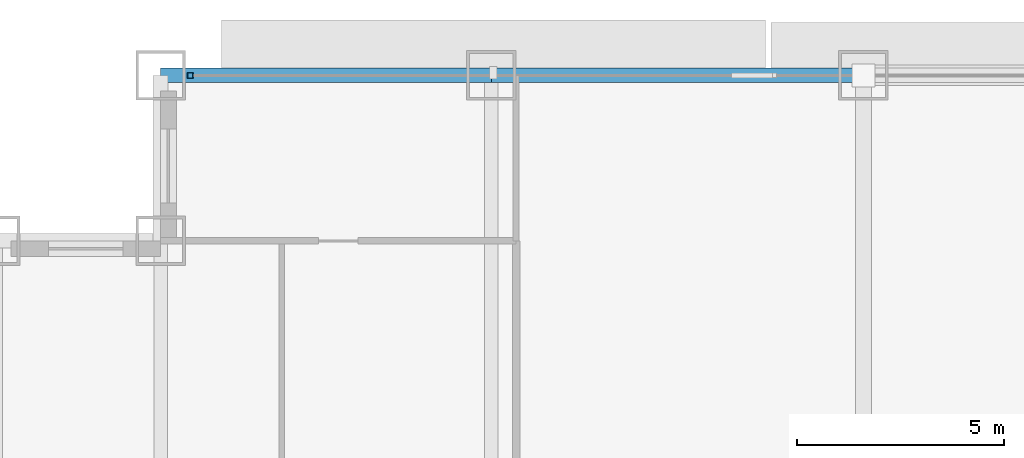
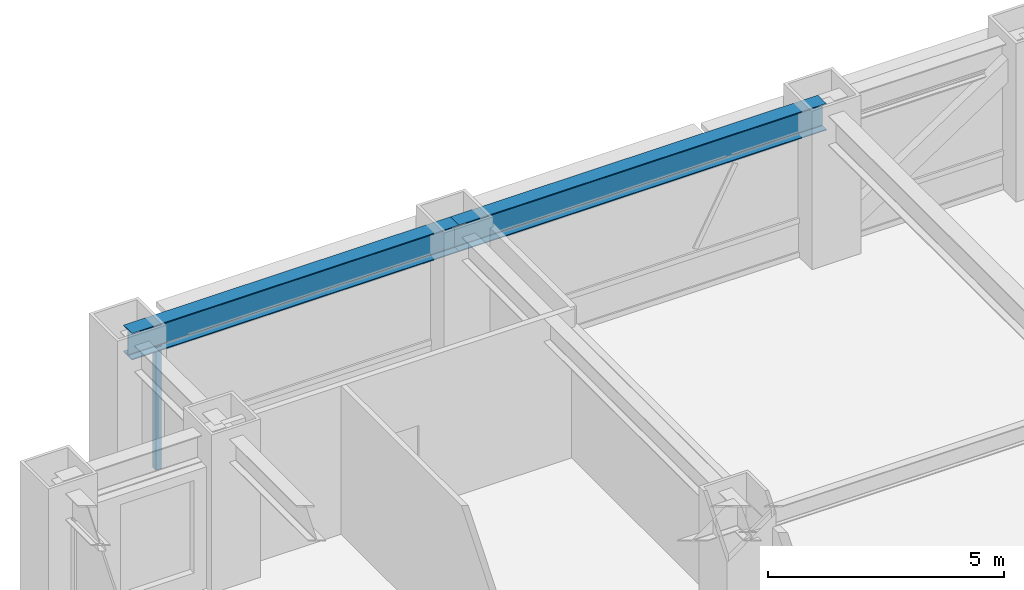
# One storey, part 17 of 32: 2 beams, 1 member, 1 element without a shape of its own.
"""IFC4 building model written with IfcOpenShell, lengths in metres."""

from ifc_helpers import new_model, si_unit, direction, frame, origin, origin_2d, place, context, subcontext, project, spatial, hollow_rectangle, i_section, extrude, source, transform, mapped, material, material_profile, profile_set, type_object, element, aggregate, save


model = new_model("IFC4")

# Units and contexts
model_context = context("Model", 3, precision=1e-05, world=origin(), true_north=direction((0.0, 1.0)))
body_context = subcontext(model_context, "Body", "Model", "MODEL_VIEW")
ifc_project = project(units=[si_unit("LENGTHUNIT", "METRE"), si_unit("AREAUNIT", "SQUARE_METRE"), si_unit("VOLUMEUNIT", "CUBIC_METRE"), si_unit("PLANEANGLEUNIT", "RADIAN"), si_unit("MASSUNIT", "GRAM", prefix="KILO")], contexts=[model_context])

# Site, building, storey
site_placement = place(None, origin())
site = spatial("IfcSite", under=ifc_project, at=site_placement, CompositionType="ELEMENT")
building_placement = place(site_placement, origin())
building = spatial("IfcBuilding", under=site, at=building_placement, Name="Khorayat Bourse Tower", CompositionType="ELEMENT")
storey_placement = place(building_placement, frame((0.0, 0.0, 136.5)))
storey = spatial("IfcBuildingStorey", under=building, at=storey_placement, Name="L31", CompositionType="ELEMENT", Elevation=136.5)

# Beams
ifc_material_1 = material(Name="Steel ASTM A992 Grade 50", Category="steel")
ifc_material_profile_1 = material_profile(ifc_material_1, i_section(OverallWidth=0.35498046875, OverallDepth=0.695068359375, WebThickness=0.015380859375, FlangeThickness=0.02490234375, FilletRadius=0.01806640625, at=origin_2d()), Name="W690X217")
ifc_profile_set_1 = profile_set([ifc_material_profile_1], Name="Steel ASTM A992 Grade 50")
beam_type = type_object("IfcBeamType", Name="BM-SPAN-690", PredefinedType="SPANDREL", material=ifc_profile_set_1)
shared_shape_1 = source(origin(), body_context, "Body", "SweptSolid", [
    extrude(i_section(OverallWidth=0.35498046875, OverallDepth=0.695068359375, WebThickness=0.015380859375, FlangeThickness=0.02490234375, FilletRadius=0.01806640625, at=origin_2d()), origin(), (0.0, 0.0, 1.0), 9.0),
])
beam_1_placement = place(storey_placement, frame((-20.0, 32.0, 3.492431640625), z_axis=(1.0, 0.0, 0.0), x_axis=(0.0, 1.0, 0.0)))
element("IfcBeam", 1, at=beam_1_placement, inside=storey, type_object=beam_type, Name="L31 BM-SPAN-690 BM-L31-SPN-050", PredefinedType="SPANDREL", context=body_context, shape_type="MappedRepresentation", body=[
    mapped(shared_shape_1, transform((0.0, 0.0, 0.0), scale=1.0)),
])
shared_shape_2 = source(origin(), body_context, "Body", "SweptSolid", [
    extrude(i_section(OverallWidth=0.35498046875, OverallDepth=0.695068359375, WebThickness=0.015380859375, FlangeThickness=0.02490234375, FilletRadius=0.01806640625, at=origin_2d()), origin(), (0.0, 0.0, 1.0), 8.0),
])
beam_2_placement = place(storey_placement, frame((-28.0, 32.0, 3.492431640625), z_axis=(1.0, 0.0, 0.0), x_axis=(0.0, 1.0, 0.0)))
element("IfcBeam", 2, at=beam_2_placement, inside=storey, type_object=beam_type, Name="L31 BM-SPAN-690 BM-L31-SPN-051", PredefinedType="SPANDREL", context=body_context, shape_type="MappedRepresentation", body=[
    mapped(shared_shape_2, transform((0.0, 0.0, 0.0), scale=1.0)),
])

# Curtain wall, member
ifc_material_2 = material(Name="Aluminium EN AW-6063 T6", Category="aluminium")
curtain_wall_type = type_object("IfcCurtainWallType", Name="CW-SYS-02", PredefinedType="NOTDEFINED", material=ifc_material_2)
curtain_wall_placement = place(storey_placement, origin())
curtain_wall = element("IfcCurtainWall", 3, at=curtain_wall_placement, inside=storey, type_object=curtain_wall_type, Name="L31 Curtain Wall CW-L31-N1", PredefinedType="NOTDEFINED")
ifc_material_profile_2 = material_profile(ifc_material_2, hollow_rectangle(XDim=0.139892578125, YDim=0.139892578125, WallThickness=0.006103515625, at=origin_2d()), Name="ALU 140x140x6")
ifc_profile_set_2 = profile_set([ifc_material_profile_2], Name="Aluminium EN AW-6063 T6")
member_type = type_object("IfcMemberType", Name="CWM-VERT-140", PredefinedType="MULLION", material=ifc_profile_set_2)
shared_shape_3 = source(origin(), body_context, "Body", "SweptSolid", [
    extrude(hollow_rectangle(XDim=0.139892578125, YDim=0.139892578125, WallThickness=0.006103515625, at=origin_2d()), origin(), (0.0, 0.0, 1.0), 3.18994140625),
])
member_placement = place(storey_placement, frame((-27.280029296875, 32.0, 0.0), z_axis=(0.0, 0.0, 1.0), x_axis=(0.0, 1.0, 0.0)))
member = element("IfcMember", 4, at=member_placement, type_object=member_type, Name="CW-L31-N1 Vertical Mullion 1", PredefinedType="MULLION", context=body_context, shape_type="MappedRepresentation", body=[
    mapped(shared_shape_3, transform((0.0, 0.0, 0.0), scale=1.0)),
])
aggregate(curtain_wall, [member])

save(model, "model.ifc")
